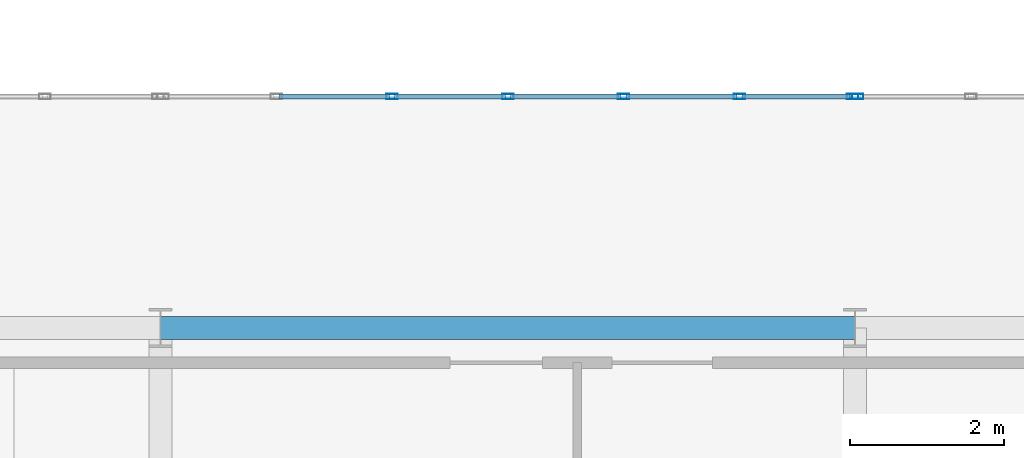
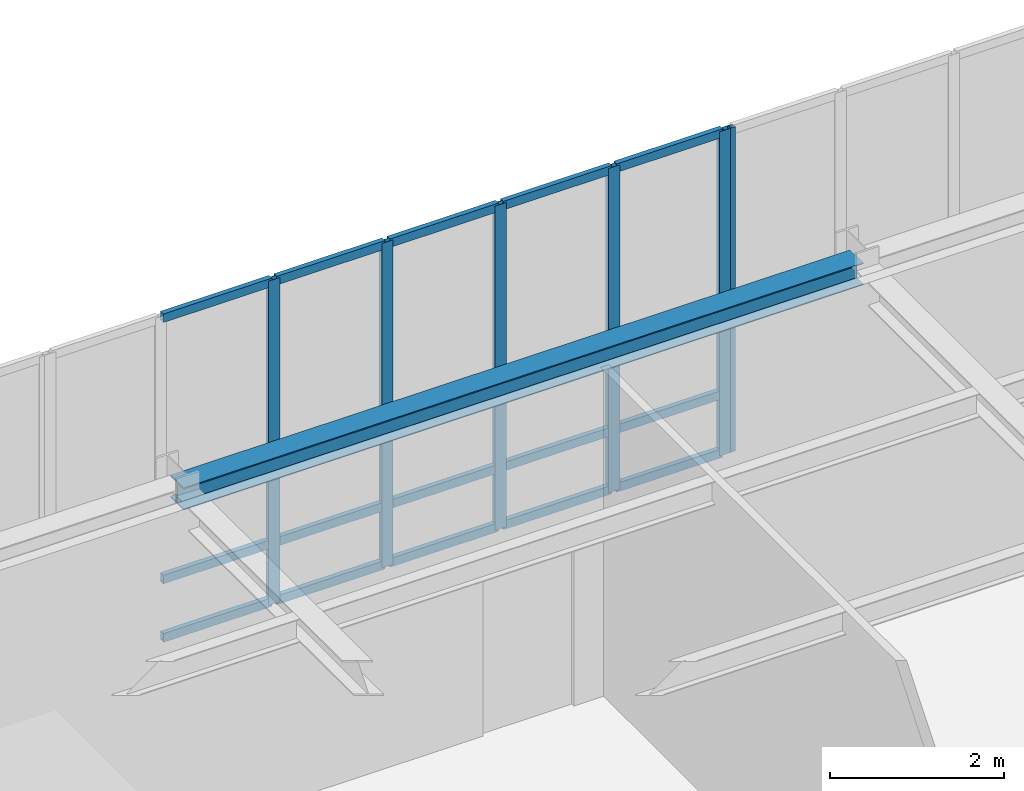
# One storey, part 19 of 98: 21 members, 1 beam, 2 elements without a shape of their own.
"""IFC4 building model written with IfcOpenShell, lengths in metres."""

from ifc_helpers import new_model, si_unit, direction, frame, origin, origin_2d, place, context, subcontext, project, spatial, hollow_rectangle, i_section, extrude, material, material_profile, profile_set, type_object, element, aggregate, save


model = new_model("IFC4")

# Units and contexts
model_context = context("Model", 3, precision=1e-05, world=origin(), true_north=direction((0.0, 1.0)))
body_context = subcontext(model_context, "Body", "Model", "MODEL_VIEW")
ifc_project = project(units=[si_unit("LENGTHUNIT", "METRE"), si_unit("AREAUNIT", "SQUARE_METRE"), si_unit("VOLUMEUNIT", "CUBIC_METRE"), si_unit("PLANEANGLEUNIT", "RADIAN"), si_unit("MASSUNIT", "GRAM", prefix="KILO")], contexts=[model_context])

# Site, building, storey
site_placement = place(None, origin())
site = spatial("IfcSite", under=ifc_project, at=site_placement, CompositionType="ELEMENT")
building_placement = place(site_placement, origin())
building = spatial("IfcBuilding", under=site, at=building_placement, Name="Lykobir Media Centre", CompositionType="ELEMENT")
storey_placement = place(building_placement, frame((0.0, 0.0, 10.199951171875)))
storey = spatial("IfcBuildingStorey", under=building, at=storey_placement, Name="L02", CompositionType="ELEMENT", Elevation=10.199951171875)

# Curtain wall, members
ifc_material_1 = material(Name="Anodized Aluminium AW-6060", Category="aluminium")
curtain_wall_type = type_object("IfcCurtainWallType", Name="CW-COURT-A", PredefinedType="NOTDEFINED", material=ifc_material_1)
curtain_wall_1_placement = place(storey_placement, origin())
curtain_wall_1 = element("IfcCurtainWall", 1, at=curtain_wall_1_placement, inside=storey, type_object=curtain_wall_type, Name="Curtain wall CW2-L02-0075", PredefinedType="NOTDEFINED")
ifc_material_profile_1 = material_profile(ifc_material_1, hollow_rectangle(XDim=0.06494140625, YDim=0.14990234375, WallThickness=0.00341796875, at=origin_2d()), Name="ALU MULLION 65x150")
ifc_profile_set_1 = profile_set([ifc_material_profile_1], Name="Anodized Aluminium AW-6060")
member_type_1 = type_object("IfcMemberType", Name="CWM-150", PredefinedType="MULLION", material=ifc_profile_set_1)
member_1_placement = place(storey_placement, frame((57.0, 21.0, 0.0), z_axis=(0.0, 0.0, 1.0), x_axis=(0.0, 1.0, 0.0)))
member_1 = element("IfcMember", 2, at=member_1_placement, type_object=member_type_1, Name="CW2-L02-0075 mullion 3", PredefinedType="MULLION", context=body_context, shape_type="SweptSolid", body=[
    extrude(hollow_rectangle(XDim=0.06494140625, YDim=0.14990234375, WallThickness=0.00341796875, at=origin_2d()), origin(), (0.0, 0.0, 1.0), 4.5400390625),
])
member_2_placement = place(storey_placement, frame((58.5, 21.0, 0.0), z_axis=(0.0, 0.0, 1.0), x_axis=(0.0, 1.0, 0.0)))
member_2 = element("IfcMember", 3, at=member_2_placement, type_object=member_type_1, Name="CW2-L02-0075 mullion 4", PredefinedType="MULLION", context=body_context, shape_type="SweptSolid", body=[
    extrude(hollow_rectangle(XDim=0.06494140625, YDim=0.14990234375, WallThickness=0.00341796875, at=origin_2d()), origin(), (0.0, 0.0, 1.0), 4.5400390625),
])
member_3_placement = place(storey_placement, frame((60.0, 21.0, 0.0), z_axis=(0.0, 0.0, 1.0), x_axis=(0.0, 1.0, 0.0)))
member_3 = element("IfcMember", 4, at=member_3_placement, type_object=member_type_1, Name="CW2-L02-0075 mullion 5", PredefinedType="MULLION", context=body_context, shape_type="SweptSolid", body=[
    extrude(hollow_rectangle(XDim=0.06494140625, YDim=0.14990234375, WallThickness=0.00341796875, at=origin_2d()), origin(), (0.0, 0.0, 1.0), 4.5400390625),
])
member_4_placement = place(storey_placement, frame((61.5, 21.0, 0.0), z_axis=(0.0, 0.0, 1.0), x_axis=(0.0, 1.0, 0.0)))
member_4 = element("IfcMember", 5, at=member_4_placement, type_object=member_type_1, Name="CW2-L02-0075 mullion 6", PredefinedType="MULLION", context=body_context, shape_type="SweptSolid", body=[
    extrude(hollow_rectangle(XDim=0.06494140625, YDim=0.14990234375, WallThickness=0.00341796875, at=origin_2d()), origin(), (0.0, 0.0, 1.0), 4.5400390625),
])
member_5_placement = place(storey_placement, frame((62.967529296875, 21.0, 0.0), z_axis=(0.0, 0.0, 1.0), x_axis=(0.0, 1.0, 0.0)))
member_5 = element("IfcMember", 6, at=member_5_placement, type_object=member_type_1, Name="CW2-L02-0075 mullion 7", PredefinedType="MULLION", context=body_context, shape_type="SweptSolid", body=[
    extrude(hollow_rectangle(XDim=0.06494140625, YDim=0.14990234375, WallThickness=0.00341796875, at=origin_2d()), origin(), (0.0, 0.0, 1.0), 4.5400390625),
])

# Curtain wall, member
curtain_wall_2_placement = place(storey_placement, origin())
curtain_wall_2 = element("IfcCurtainWall", 7, at=curtain_wall_2_placement, inside=storey, type_object=curtain_wall_type, Name="Curtain wall CW2-L02-0076", PredefinedType="NOTDEFINED")
member_6_placement = place(storey_placement, frame((63.032470703125, 21.0, 0.0), z_axis=(0.0, 0.0, 1.0), x_axis=(0.0, 1.0, 0.0)))
member_6 = element("IfcMember", 8, at=member_6_placement, type_object=member_type_1, Name="CW2-L02-0076 mullion 1", PredefinedType="MULLION", context=body_context, shape_type="SweptSolid", body=[
    extrude(hollow_rectangle(XDim=0.06494140625, YDim=0.14990234375, WallThickness=0.00341796875, at=origin_2d()), origin(), (0.0, 0.0, 1.0), 4.5400390625),
])
aggregate(curtain_wall_2, [member_6])

# Member
ifc_material_profile_2 = material_profile(ifc_material_1, hollow_rectangle(XDim=0.06494140625, YDim=0.1201171875, WallThickness=0.0029296875, at=origin_2d()), Name="ALU TRANSOM 65x120")
ifc_profile_set_2 = profile_set([ifc_material_profile_2], Name="Anodized Aluminium AW-6060")
member_type_2 = type_object("IfcMemberType", Name="CWT-120", PredefinedType="USERDEFINED", material=ifc_profile_set_2)
member_7_placement = place(storey_placement, frame((55.532470703125, 21.0, 0.032470703125), z_axis=(1.0, 0.0, 0.0), x_axis=(0.0, 1.0, 0.0)))
member_7 = element("IfcMember", 9, at=member_7_placement, type_object=member_type_2, Name="CW2-L02-0075 transom 2.1", ObjectType="TRANSOM", PredefinedType="USERDEFINED", context=body_context, shape_type="SweptSolid", body=[
    extrude(hollow_rectangle(XDim=0.06494140625, YDim=0.1201171875, WallThickness=0.0029296875, at=origin_2d()), origin(), (0.0, 0.0, 1.0), 1.43505859375),
])

member_8_placement = place(storey_placement, frame((55.532470703125, 21.0, 0.85009765625), z_axis=(1.0, 0.0, 0.0), x_axis=(0.0, 1.0, 0.0)))
member_8 = element("IfcMember", 10, at=member_8_placement, type_object=member_type_2, Name="CW2-L02-0075 transom 2.2", ObjectType="TRANSOM", PredefinedType="USERDEFINED", context=body_context, shape_type="SweptSolid", body=[
    extrude(hollow_rectangle(XDim=0.06494140625, YDim=0.1201171875, WallThickness=0.0029296875, at=origin_2d()), origin(), (0.0, 0.0, 1.0), 1.43505859375),
])

member_9_placement = place(storey_placement, frame((55.532470703125, 21.0, 4.507568359375), z_axis=(1.0, 0.0, 0.0), x_axis=(0.0, 1.0, 0.0)))
member_9 = element("IfcMember", 11, at=member_9_placement, type_object=member_type_2, Name="CW2-L02-0075 transom 2.3", ObjectType="TRANSOM", PredefinedType="USERDEFINED", context=body_context, shape_type="SweptSolid", body=[
    extrude(hollow_rectangle(XDim=0.06494140625, YDim=0.1201171875, WallThickness=0.0029296875, at=origin_2d()), origin(), (0.0, 0.0, 1.0), 1.43505859375),
])

member_10_placement = place(storey_placement, frame((57.032470703125, 21.0, 0.032470703125), z_axis=(1.0, 0.0, 0.0), x_axis=(0.0, 1.0, 0.0)))
member_10 = element("IfcMember", 12, at=member_10_placement, type_object=member_type_2, Name="CW2-L02-0075 transom 3.1", ObjectType="TRANSOM", PredefinedType="USERDEFINED", context=body_context, shape_type="SweptSolid", body=[
    extrude(hollow_rectangle(XDim=0.06494140625, YDim=0.1201171875, WallThickness=0.0029296875, at=origin_2d()), origin(), (0.0, 0.0, 1.0), 1.43505859375),
])

member_11_placement = place(storey_placement, frame((57.032470703125, 21.0, 0.85009765625), z_axis=(1.0, 0.0, 0.0), x_axis=(0.0, 1.0, 0.0)))
member_11 = element("IfcMember", 13, at=member_11_placement, type_object=member_type_2, Name="CW2-L02-0075 transom 3.2", ObjectType="TRANSOM", PredefinedType="USERDEFINED", context=body_context, shape_type="SweptSolid", body=[
    extrude(hollow_rectangle(XDim=0.06494140625, YDim=0.1201171875, WallThickness=0.0029296875, at=origin_2d()), origin(), (0.0, 0.0, 1.0), 1.43505859375),
])

member_12_placement = place(storey_placement, frame((57.032470703125, 21.0, 4.507568359375), z_axis=(1.0, 0.0, 0.0), x_axis=(0.0, 1.0, 0.0)))
member_12 = element("IfcMember", 14, at=member_12_placement, type_object=member_type_2, Name="CW2-L02-0075 transom 3.3", ObjectType="TRANSOM", PredefinedType="USERDEFINED", context=body_context, shape_type="SweptSolid", body=[
    extrude(hollow_rectangle(XDim=0.06494140625, YDim=0.1201171875, WallThickness=0.0029296875, at=origin_2d()), origin(), (0.0, 0.0, 1.0), 1.43505859375),
])

member_13_placement = place(storey_placement, frame((58.532470703125, 21.0, 0.032470703125), z_axis=(1.0, 0.0, 0.0), x_axis=(0.0, 1.0, 0.0)))
member_13 = element("IfcMember", 15, at=member_13_placement, type_object=member_type_2, Name="CW2-L02-0075 transom 4.1", ObjectType="TRANSOM", PredefinedType="USERDEFINED", context=body_context, shape_type="SweptSolid", body=[
    extrude(hollow_rectangle(XDim=0.06494140625, YDim=0.1201171875, WallThickness=0.0029296875, at=origin_2d()), origin(), (0.0, 0.0, 1.0), 1.43505859375),
])

member_14_placement = place(storey_placement, frame((58.532470703125, 21.0, 0.85009765625), z_axis=(1.0, 0.0, 0.0), x_axis=(0.0, 1.0, 0.0)))
member_14 = element("IfcMember", 16, at=member_14_placement, type_object=member_type_2, Name="CW2-L02-0075 transom 4.2", ObjectType="TRANSOM", PredefinedType="USERDEFINED", context=body_context, shape_type="SweptSolid", body=[
    extrude(hollow_rectangle(XDim=0.06494140625, YDim=0.1201171875, WallThickness=0.0029296875, at=origin_2d()), origin(), (0.0, 0.0, 1.0), 1.43505859375),
])

member_15_placement = place(storey_placement, frame((58.532470703125, 21.0, 4.507568359375), z_axis=(1.0, 0.0, 0.0), x_axis=(0.0, 1.0, 0.0)))
member_15 = element("IfcMember", 17, at=member_15_placement, type_object=member_type_2, Name="CW2-L02-0075 transom 4.3", ObjectType="TRANSOM", PredefinedType="USERDEFINED", context=body_context, shape_type="SweptSolid", body=[
    extrude(hollow_rectangle(XDim=0.06494140625, YDim=0.1201171875, WallThickness=0.0029296875, at=origin_2d()), origin(), (0.0, 0.0, 1.0), 1.43505859375),
])

member_16_placement = place(storey_placement, frame((60.032470703125, 21.0, 0.032470703125), z_axis=(1.0, 0.0, 0.0), x_axis=(0.0, 1.0, 0.0)))
member_16 = element("IfcMember", 18, at=member_16_placement, type_object=member_type_2, Name="CW2-L02-0075 transom 5.1", ObjectType="TRANSOM", PredefinedType="USERDEFINED", context=body_context, shape_type="SweptSolid", body=[
    extrude(hollow_rectangle(XDim=0.06494140625, YDim=0.1201171875, WallThickness=0.0029296875, at=origin_2d()), origin(), (0.0, 0.0, 1.0), 1.43505859375),
])

member_17_placement = place(storey_placement, frame((60.032470703125, 21.0, 0.85009765625), z_axis=(1.0, 0.0, 0.0), x_axis=(0.0, 1.0, 0.0)))
member_17 = element("IfcMember", 19, at=member_17_placement, type_object=member_type_2, Name="CW2-L02-0075 transom 5.2", ObjectType="TRANSOM", PredefinedType="USERDEFINED", context=body_context, shape_type="SweptSolid", body=[
    extrude(hollow_rectangle(XDim=0.06494140625, YDim=0.1201171875, WallThickness=0.0029296875, at=origin_2d()), origin(), (0.0, 0.0, 1.0), 1.43505859375),
])

member_18_placement = place(storey_placement, frame((60.032470703125, 21.0, 4.507568359375), z_axis=(1.0, 0.0, 0.0), x_axis=(0.0, 1.0, 0.0)))
member_18 = element("IfcMember", 20, at=member_18_placement, type_object=member_type_2, Name="CW2-L02-0075 transom 5.3", ObjectType="TRANSOM", PredefinedType="USERDEFINED", context=body_context, shape_type="SweptSolid", body=[
    extrude(hollow_rectangle(XDim=0.06494140625, YDim=0.1201171875, WallThickness=0.0029296875, at=origin_2d()), origin(), (0.0, 0.0, 1.0), 1.43505859375),
])

member_19_placement = place(storey_placement, frame((61.532470703125, 21.0, 0.032470703125), z_axis=(1.0, 0.0, 0.0), x_axis=(0.0, 1.0, 0.0)))
member_19 = element("IfcMember", 21, at=member_19_placement, type_object=member_type_2, Name="CW2-L02-0075 transom 6.1", ObjectType="TRANSOM", PredefinedType="USERDEFINED", context=body_context, shape_type="SweptSolid", body=[
    extrude(hollow_rectangle(XDim=0.06494140625, YDim=0.1201171875, WallThickness=0.0029296875, at=origin_2d()), origin(), (0.0, 0.0, 1.0), 1.402587890625),
])

member_20_placement = place(storey_placement, frame((61.532470703125, 21.0, 0.85009765625), z_axis=(1.0, 0.0, 0.0), x_axis=(0.0, 1.0, 0.0)))
member_20 = element("IfcMember", 22, at=member_20_placement, type_object=member_type_2, Name="CW2-L02-0075 transom 6.2", ObjectType="TRANSOM", PredefinedType="USERDEFINED", context=body_context, shape_type="SweptSolid", body=[
    extrude(hollow_rectangle(XDim=0.06494140625, YDim=0.1201171875, WallThickness=0.0029296875, at=origin_2d()), origin(), (0.0, 0.0, 1.0), 1.402587890625),
])

member_21_placement = place(storey_placement, frame((61.532470703125, 21.0, 4.507568359375), z_axis=(1.0, 0.0, 0.0), x_axis=(0.0, 1.0, 0.0)))
member_21 = element("IfcMember", 23, at=member_21_placement, type_object=member_type_2, Name="CW2-L02-0075 transom 6.3", ObjectType="TRANSOM", PredefinedType="USERDEFINED", context=body_context, shape_type="SweptSolid", body=[
    extrude(hollow_rectangle(XDim=0.06494140625, YDim=0.1201171875, WallThickness=0.0029296875, at=origin_2d()), origin(), (0.0, 0.0, 1.0), 1.402587890625),
])

aggregate(curtain_wall_1, [member_1, member_2, member_3, member_4, member_5, member_7, member_8, member_9, member_10, member_11, member_12, member_13, member_14, member_15, member_16, member_17, member_18, member_19, member_20, member_21])

# Beam
ifc_material_2 = material(Name="Steel S355", Category="steel")
ifc_material_profile_3 = material_profile(ifc_material_2, i_section(OverallWidth=0.300048828125, OverallDepth=0.31005859375, WebThickness=0.009033203125, FlangeThickness=0.015380859375, at=origin_2d()), Name="HEA 320")
ifc_profile_set_3 = profile_set([ifc_material_profile_3], Name="Steel S355")
beam_type = type_object("IfcBeamType", Name="SP-HEA320", PredefinedType="SPANDREL", material=ifc_profile_set_3)
beam_placement = place(storey_placement, frame((54.0, 18.0, 4.405029296875), z_axis=(1.0, 0.0, 0.0), x_axis=(0.0, 1.0, 0.0)))
element("IfcBeam", 24, at=beam_placement, inside=storey, type_object=beam_type, Name="Beam BM-L02-0540-0180-0630-0180-1460", PredefinedType="SPANDREL", context=body_context, shape_type="SweptSolid", body=[
    extrude(i_section(OverallWidth=0.300048828125, OverallDepth=0.31005859375, WebThickness=0.009033203125, FlangeThickness=0.015380859375, at=origin_2d()), origin(), (0.0, 0.0, 1.0), 9.0),
])

save(model, "model.ifc")
